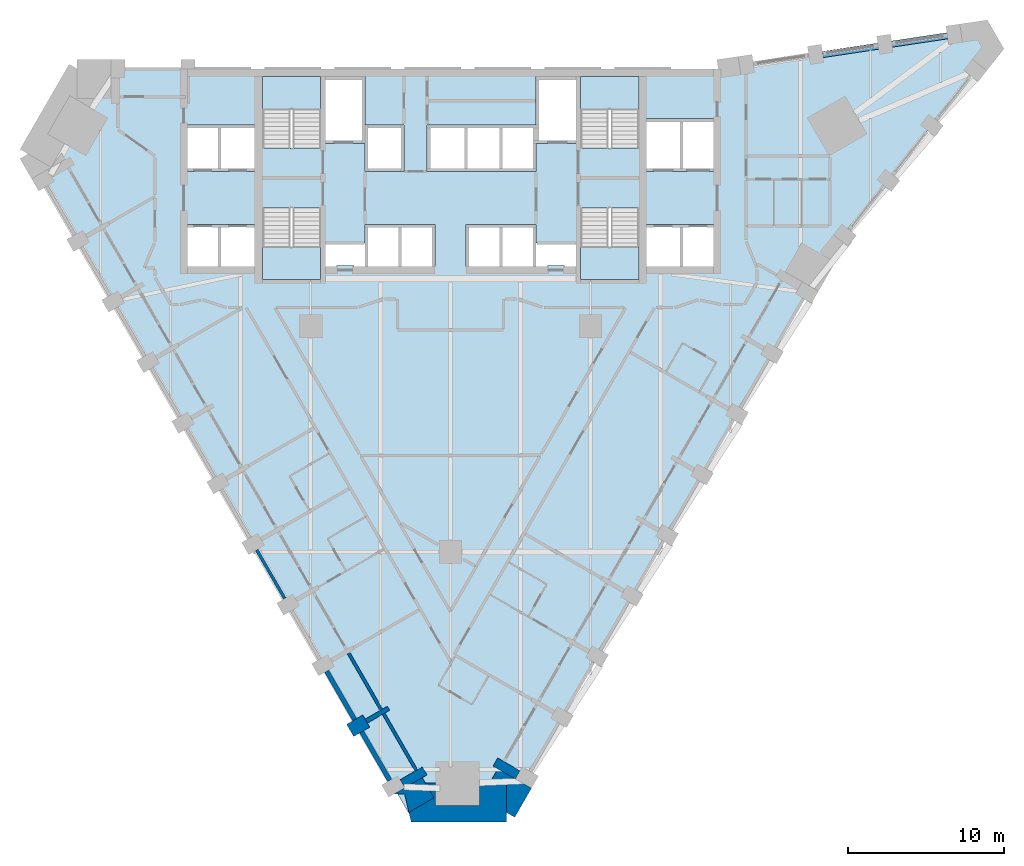
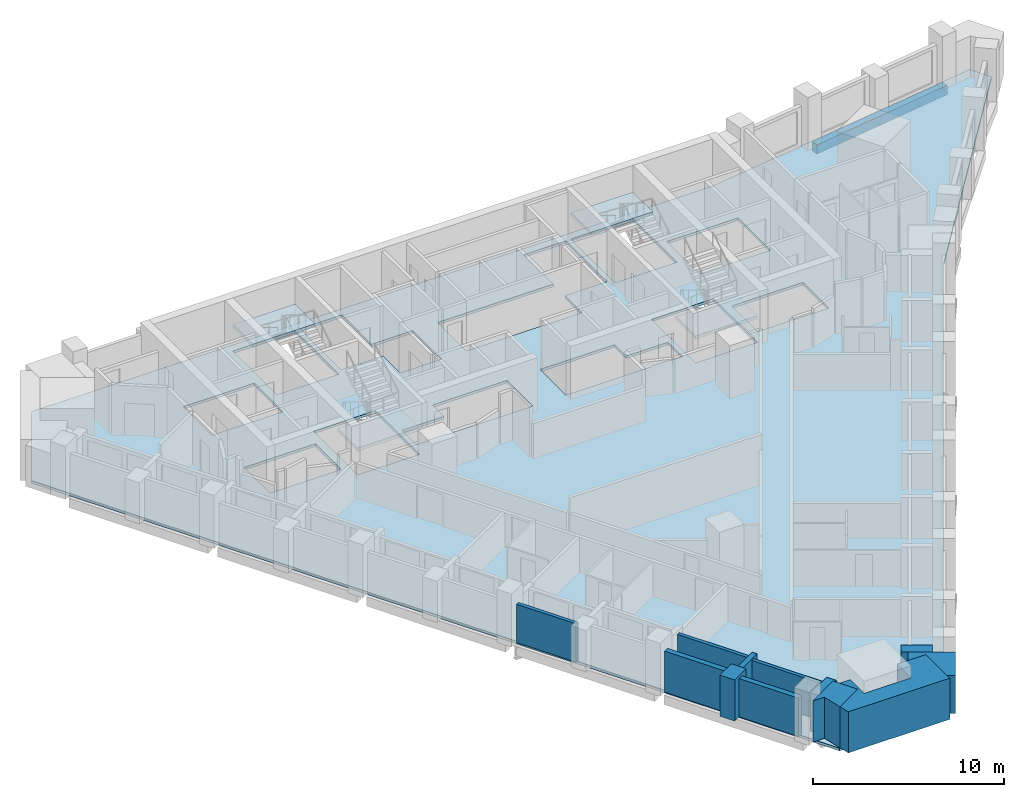
# One storey, part 2 of 11: 12 walls, 5 slabs, 1 beam, 4 elements without a shape of their own.
"""IFC4 building model written with IfcOpenShell, lengths in metres."""

from ifc_helpers import new_model, si_unit, direction, frame, frame_2d, origin, origin_2d, place, context, subcontext, project, spatial, polyline, rectangle, outline, extrude, material, layer, layer_set, material_profile, profile_set, type_object, element, aggregate, save


model = new_model("IFC4")

# Units and contexts
model_context = context("Model", 3, precision=1e-05, world=origin(), true_north=direction((0.0, 1.0)))
body_context = subcontext(model_context, "Body", "Model", "MODEL_VIEW")
ifc_project = project(units=[si_unit("LENGTHUNIT", "METRE"), si_unit("AREAUNIT", "SQUARE_METRE"), si_unit("VOLUMEUNIT", "CUBIC_METRE"), si_unit("PLANEANGLEUNIT", "RADIAN"), si_unit("MASSUNIT", "GRAM", prefix="KILO")], contexts=[model_context])

# Site, building, storey
site_placement = place(None, origin())
site = spatial("IfcSite", under=ifc_project, at=site_placement, CompositionType="ELEMENT")
building_placement = place(site_placement, origin())
building = spatial("IfcBuilding", under=site, at=building_placement, Name="Calabash Gate Tower", CompositionType="ELEMENT")
storey_placement = place(building_placement, frame((0.0, 0.0, 122.39990234375)))
storey = spatial("IfcBuildingStorey", under=building, at=storey_placement, Name="L28", CompositionType="ELEMENT", Elevation=122.39990234375)

# Beam
ifc_material_1 = material(Name="Concrete C60/75", Category="concrete")
ifc_material_profile = material_profile(ifc_material_1, rectangle(XDim=0.39990234375, YDim=0.60009765625, at=origin_2d()))
ifc_profile_set = profile_set([ifc_material_profile], Name="Concrete C60/75")
beam_type = type_object("IfcBeamType", Name="Edge beam RC 400x600 Concrete C60/75", PredefinedType="BEAM", material=ifc_profile_set)
beam_placement = place(storey_placement, frame((32.5439453125, 21.27392578125, -0.469970703125), z_axis=(-0.988841625555, -0.148970599683, 0.0), x_axis=(0.148970599683, -0.988841625555, 0.0)))
element("IfcBeam", 1, at=beam_placement, inside=storey, type_object=beam_type, Name="Edge beam L28 15", PredefinedType="BEAM", context=body_context, shape_type="SweptSolid", body=[
    extrude(rectangle(XDim=0.39990234375, YDim=0.60009765625, at=origin_2d()), origin(), (0.0, 0.0, 1.0), 8.7333984375),
])

# Slab
ifc_material_2 = material(Name="Concrete C40/50", Category="concrete")
ifc_layer_1 = layer(ifc_material_2, 0.169921875)
ifc_layer_set_1 = layer_set([ifc_layer_1], Name="Composite floor slab 170 Concrete C40/50")
slab_type_1 = type_object("IfcSlabType", Name="Composite floor slab 170 Concrete C40/50", PredefinedType="FLOOR", material=ifc_layer_set_1)
slab_1_placement = place(storey_placement, frame((0.0, 0.0, -0.169921875)))
element("IfcSlab", 2, at=slab_1_placement, inside=storey, type_object=slab_type_1, Name="Floor slab L28", PredefinedType="FLOOR", context=body_context, shape_type="SweptSolid", body=[
    extrude(outline(polyline([(-27.162353515625, 13.581787109375), (-24.00390625, 19.052490234375), (17.2099609375, 19.052490234375), (34.192138671875, 21.54150390625), (34.856689453125, 20.390625), (24.2099609375, 6.92822265625), (3.60302734375, -28.76416015625), (-2.7138671875, -28.76416015625), (-27.162353515625, 13.581787109375)]), holes=[polyline([(-5.5, 9.052490234375), (-5.5, 7.8525390625), (-8.050048828125, 7.8525390625), (-8.050048828125, 6.3525390625), (-7.324951171875, 6.3525390625), (-7.324951171875, 6.402587890625), (-6.22509765625, 6.402587890625), (-6.22509765625, 6.3525390625), (-5.5, 6.3525390625), (-3.25, 6.3525390625), (-1.0, 6.3525390625), (-1.0, 9.052490234375), (-3.25, 9.052490234375), (-5.5, 9.052490234375)]), polyline([(5.5, 9.052490234375), (3.25, 9.052490234375), (1.0, 9.052490234375), (1.0, 6.3525390625), (3.25, 6.3525390625), (5.5, 6.3525390625), (6.22509765625, 6.3525390625), (6.22509765625, 6.402587890625), (7.324951171875, 6.402587890625), (7.324951171875, 6.3525390625), (8.050048828125, 6.3525390625), (8.050048828125, 7.8525390625), (5.5, 7.8525390625), (5.5, 9.052490234375)]), polyline([(-5.5, 14.252685546875), (-5.5, 12.45263671875), (-3.0, 12.45263671875), (-3.0, 15.45263671875), (-5.5, 15.45263671875), (-5.5, 18.552490234375), (-8.050048828125, 18.552490234375), (-8.050048828125, 14.252685546875), (-5.5, 14.252685546875)]), polyline([(8.050048828125, 18.552490234375), (5.5, 18.552490234375), (5.5, 15.45263671875), (3.25, 15.45263671875), (1.0, 15.45263671875), (-1.5, 15.45263671875), (-1.5, 12.45263671875), (1.0, 12.45263671875), (3.25, 12.45263671875), (5.5, 12.45263671875), (5.5, 14.252685546875), (8.050048828125, 14.252685546875), (8.050048828125, 18.552490234375)]), polyline([(-12.60009765625, 6.3525390625), (-12.60009765625, 9.052490234375), (-14.85009765625, 9.052490234375), (-16.89990234375, 9.052490234375), (-16.89990234375, 6.3525390625), (-14.85009765625, 6.3525390625), (-12.60009765625, 6.3525390625)]), polyline([(-14.85009765625, 12.45263671875), (-12.60009765625, 12.45263671875), (-12.60009765625, 15.45263671875), (-14.85009765625, 15.45263671875), (-16.89990234375, 15.45263671875), (-16.89990234375, 12.45263671875), (-14.85009765625, 12.45263671875)]), polyline([(14.85009765625, 6.3525390625), (16.89990234375, 6.3525390625), (16.89990234375, 9.052490234375), (14.85009765625, 9.052490234375), (12.60009765625, 9.052490234375), (12.60009765625, 6.3525390625), (14.85009765625, 6.3525390625)]), polyline([(14.85009765625, 12.45263671875), (16.89990234375, 12.45263671875), (16.89990234375, 15.8525390625), (14.85009765625, 15.8525390625), (12.60009765625, 15.8525390625), (12.60009765625, 12.45263671875), (14.85009765625, 12.45263671875)]), polyline([(-8.35009765625, 18.552490234375), (-12.10009765625, 18.552490234375), (-12.10009765625, 13.95263671875), (-8.35009765625, 13.95263671875), (-8.35009765625, 18.552490234375)]), polyline([(-12.10009765625, 10.1025390625), (-12.10009765625, 5.502685546875), (-8.35009765625, 5.502685546875), (-8.35009765625, 10.1025390625), (-12.10009765625, 10.1025390625)]), polyline([(8.35009765625, 13.95263671875), (12.10009765625, 13.95263671875), (12.10009765625, 18.552490234375), (8.35009765625, 18.552490234375), (8.35009765625, 13.95263671875)]), polyline([(12.10009765625, 5.502685546875), (12.10009765625, 10.1025390625), (8.35009765625, 10.1025390625), (8.35009765625, 5.502685546875), (12.10009765625, 5.502685546875)])]), origin(), (0.0, 0.0, 1.0), 0.169921875),
])

# Stair, slab
ifc_material_3 = material(Name="Concrete C40/50", Category="concrete")
stair_type = type_object("IfcStairType", Name="Exit stair 20 risers of 170 mm", PredefinedType="HALF_TURN_STAIR", material=ifc_material_3)
stair_1_placement = place(storey_placement, origin())
stair_1 = element("IfcStair", 3, at=stair_1_placement, inside=storey, type_object=stair_type, Name="L28 Exit stair ST1", PredefinedType="HALF_TURN_STAIR")
ifc_material_4 = material(Name="Concrete C40/50", Category="concrete")
ifc_layer_2 = layer(ifc_material_4, 0.199951171875)
ifc_layer_set_2 = layer_set([ifc_layer_2], Name="Stair landing SL200")
slab_type_2 = type_object("IfcSlabType", Name="Stair landing SL200", PredefinedType="LANDING", material=ifc_layer_set_2)
slab_2_placement = place(storey_placement, frame((0.0, 0.0, 1.5)))
slab_2 = element("IfcSlab", 4, at=slab_2_placement, type_object=slab_type_2, Name="ST1 landing 1", PredefinedType="LANDING", context=body_context, shape_type="SweptSolid", body=[
    extrude(outline(polyline([(-8.35009765625, 16.463623046875), (-8.35009765625, 18.552490234375), (-12.10009765625, 18.552490234375), (-12.10009765625, 16.463623046875), (-8.35009765625, 16.463623046875)])), origin(), (0.0, 0.0, 1.0), 0.2001953125),
])
aggregate(stair_1, [slab_2])

stair_2_placement = place(storey_placement, origin())
stair_2 = element("IfcStair", 5, at=stair_2_placement, inside=storey, type_object=stair_type, Name="L28 Exit stair ST2", PredefinedType="HALF_TURN_STAIR")
slab_3_placement = place(storey_placement, frame((0.0, 0.0, 1.5)))
slab_3 = element("IfcSlab", 6, at=slab_3_placement, type_object=slab_type_2, Name="ST2 landing 1", PredefinedType="LANDING", context=body_context, shape_type="SweptSolid", body=[
    extrude(outline(polyline([(-12.10009765625, 7.591552734375), (-12.10009765625, 5.502685546875), (-8.35009765625, 5.502685546875), (-8.35009765625, 7.591552734375), (-12.10009765625, 7.591552734375)])), origin(), (0.0, 0.0, 1.0), 0.2001953125),
])
aggregate(stair_2, [slab_3])

stair_3_placement = place(storey_placement, origin())
stair_3 = element("IfcStair", 7, at=stair_3_placement, inside=storey, type_object=stair_type, Name="L28 Exit stair ST3", PredefinedType="HALF_TURN_STAIR")
slab_4_placement = place(storey_placement, frame((0.0, 0.0, 1.5)))
slab_4 = element("IfcSlab", 8, at=slab_4_placement, type_object=slab_type_2, Name="ST3 landing 1", PredefinedType="LANDING", context=body_context, shape_type="SweptSolid", body=[
    extrude(outline(polyline([(12.10009765625, 16.463623046875), (12.10009765625, 18.552490234375), (8.35009765625, 18.552490234375), (8.35009765625, 16.463623046875), (12.10009765625, 16.463623046875)])), origin(), (0.0, 0.0, 1.0), 0.2001953125),
])
aggregate(stair_3, [slab_4])

stair_4_placement = place(storey_placement, origin())
stair_4 = element("IfcStair", 9, at=stair_4_placement, inside=storey, type_object=stair_type, Name="L28 Exit stair ST4", PredefinedType="HALF_TURN_STAIR")
slab_5_placement = place(storey_placement, frame((0.0, 0.0, 1.5)))
slab_5 = element("IfcSlab", 10, at=slab_5_placement, type_object=slab_type_2, Name="ST4 landing 1", PredefinedType="LANDING", context=body_context, shape_type="SweptSolid", body=[
    extrude(outline(polyline([(8.35009765625, 7.591552734375), (8.35009765625, 5.502685546875), (12.10009765625, 5.502685546875), (12.10009765625, 7.591552734375), (8.35009765625, 7.591552734375)])), origin(), (0.0, 0.0, 1.0), 0.2001953125),
])
aggregate(stair_4, [slab_5])

# Walls
ifc_material_5 = material(Name="Terracotta brick masonry, exposed face", Category="masonry")
ifc_layer_3 = layer(ifc_material_5, 2.5)
ifc_layer_set_3 = layer_set([ifc_layer_3], Name="Brick corner mass wall 2500")
wall_type_1 = type_object("IfcWallType", Name="Brick corner mass wall 2500", PredefinedType="SOLIDWALL", material=ifc_layer_set_3)
wall_1_placement = place(storey_placement, origin())
element("IfcWall", 11, at=wall_1_placement, inside=storey, type_object=wall_type_1, Name="Brick corner pier S08 1a", PredefinedType="SOLIDWALL", context=body_context, shape_type="SweptSolid", body=[
    extrude(outline(polyline([(-1.068603515625, -27.814208984375), (-1.817626953125, -26.516357421875), (-2.943603515625, -27.16650390625), (-2.943359375, -27.166748046875), (-3.65234375, -27.575927734375), (-2.9541015625, -27.575927734375), (-2.6796875, -28.744384765625), (-1.068603515625, -27.814208984375)])), origin(), (0.0, 0.0, 1.0), 2.630126953125),
])
wall_2_placement = place(storey_placement, origin())
element("IfcWall", 12, at=wall_2_placement, inside=storey, type_object=wall_type_1, Name="Brick corner pier S08 1b", PredefinedType="SOLIDWALL", context=body_context, shape_type="SweptSolid", body=[
    extrude(outline(polyline([(-0.97802734375, -26.864013671875), (-1.616943359375, -26.864013671875), (-1.068603515625, -27.814208984375), (-2.6796875, -28.744384765625), (-2.5341796875, -29.364013671875), (3.60302734375, -29.364013671875), (3.60302734375, -26.864013671875), (1.8720703125, -26.864013671875), (1.8720703125, -28.318115234375), (-0.97802734375, -28.318115234375), (-0.97802734375, -26.864013671875)])), origin(), (0.0, 0.0, 1.0), 2.630126953125),
])
wall_3_placement = place(storey_placement, origin())
element("IfcWall", 13, at=wall_3_placement, inside=storey, type_object=wall_type_1, Name="Brick corner pier S08 1c", PredefinedType="SOLIDWALL", context=body_context, shape_type="SweptSolid", body=[
    extrude(outline(polyline([(5.201171875, -27.196044921875), (3.0361328125, -25.946044921875), (2.506103515625, -26.864013671875), (3.60302734375, -26.864013671875), (3.60302734375, -28.76416015625), (4.122802734375, -29.064208984375), (5.201171875, -27.196044921875)])), origin(), (0.0, 0.0, 1.0), 2.4501953125),
])
ifc_material_6 = material(Name="Terracotta brick masonry, exposed face", Category="masonry")
ifc_layer_4 = layer(ifc_material_6, 1.199951171875)
ifc_layer_set_4 = layer_set([ifc_layer_4], Name="Brick end wall 1200")
wall_type_2 = type_object("IfcWallType", Name="Brick end wall 1200", PredefinedType="SOLIDWALL", material=ifc_layer_set_4)
wall_4_placement = place(storey_placement, frame((-6.457763671875, -23.4794921875, 0.0), z_axis=(0.0, 0.0, 1.0), x_axis=(0.866043267704, 0.499969057507, 0.0)))
element("IfcWall", 14, at=wall_4_placement, inside=storey, type_object=wall_type_2, Name="Brick pier S08 SW0.9", PredefinedType="SOLIDWALL", context=body_context, shape_type="SweptSolid", body=[
    extrude(rectangle(XDim=1.19970703125, YDim=0.89990234375, at=frame_2d((0.599853515625, 0.0))), origin(), (0.0, 0.0, 1.0), 2.630126953125),
])
ifc_material_7 = material(Name="Terracotta brick masonry, exposed face", Category="masonry")
ifc_layer_5 = layer(ifc_material_7, 0.300048828125)
ifc_layer_set_5 = layer_set([ifc_layer_5], Name="Brick infill panel wall 300")
wall_type_3 = type_object("IfcWallType", Name="Brick infill panel wall 300", PredefinedType="SOLIDWALL", material=ifc_layer_set_5)
wall_5_placement = place(storey_placement, frame((-7.963134765625, -19.672119140625, 0.0), z_axis=(0.0, 0.0, 1.0), x_axis=(0.500012057535, -0.866018442252, 0.0)))
element("IfcWall", 15, at=wall_5_placement, inside=storey, type_object=wall_type_3, Name="Brick panel S08 SW0.9", PredefinedType="SOLIDWALL", context=body_context, shape_type="SweptSolid", body=[
    extrude(rectangle(XDim=3.60009765625, YDim=0.300048828125, at=frame_2d((1.800048828125, 0.0))), origin(), (0.0, 0.0, 1.0), 2.630126953125),
])
wall_6_placement = place(storey_placement, frame((-5.713134765625, -23.5693359375, 0.0), z_axis=(0.0, 0.0, 1.0), x_axis=(0.500012057535, -0.866018442252, 0.0)))
element("IfcWall", 16, at=wall_6_placement, inside=storey, type_object=wall_type_3, Name="Brick panel S08 SW0.10", PredefinedType="SOLIDWALL", context=body_context, shape_type="SweptSolid", body=[
    extrude(rectangle(XDim=3.60009765625, YDim=0.300048828125, at=frame_2d((1.800048828125, 0.0))), origin(), (0.0, 0.0, 1.0), 2.4501953125),
])
ifc_material_8 = material(Name="Terracotta brick masonry, exposed face", Category="masonry")
ifc_layer_6 = layer(ifc_material_8, 0.300048828125)
ifc_layer_set_6 = layer_set([ifc_layer_6], Name="Brick loggia cheek wall 300")
wall_type_4 = type_object("IfcWallType", Name="Brick loggia cheek wall 300", PredefinedType="SOLIDWALL", material=ifc_layer_set_6)
wall_7_placement = place(storey_placement, frame((-3.98974609375, -22.0546875, 0.0), z_axis=(0.0, 0.0, 1.0), x_axis=(-0.866040211805, -0.499974350878, 0.0)))
element("IfcWall", 17, at=wall_7_placement, inside=storey, type_object=wall_type_4, Name="Loggia cheek S08 SW0.9", PredefinedType="SOLIDWALL", context=body_context, shape_type="SweptSolid", body=[
    extrude(rectangle(XDim=1.64990234375, YDim=0.300048828125, at=frame_2d((0.824951171875, 0.0))), origin(), (0.0, 0.0, 1.0), 2.4736328125),
])
wall_8_placement = place(storey_placement, frame((-3.093505859375, -26.906494140625, 0.0), z_axis=(0.0, 0.0, 1.0), x_axis=(0.866040211805, 0.499974350878, 0.0)))
element("IfcWall", 18, at=wall_8_placement, inside=storey, type_object=wall_type_4, Name="Loggia cheek S08 SW0.10", PredefinedType="SOLIDWALL", context=body_context, shape_type="SweptSolid", body=[
    extrude(rectangle(XDim=1.64990234375, YDim=0.60009765625, at=frame_2d((0.824951171875, 0.0))), origin(), (0.0, 0.0, 1.0), 2.4501953125),
])
wall_9_placement = place(storey_placement, frame((4.31201171875, -26.33642578125, 0.0), z_axis=(0.0, 0.0, 1.0), x_axis=(-0.865976140824, 0.500085316245, 0.0)))
element("IfcWall", 19, at=wall_9_placement, inside=storey, type_object=wall_type_4, Name="Loggia cheek S08 SE2.0", PredefinedType="SOLIDWALL", context=body_context, shape_type="SweptSolid", body=[
    extrude(rectangle(XDim=1.650146484375, YDim=0.60009765625, at=frame_2d((0.8251953125, 0.0))), origin(), (0.0, 0.0, 1.0), 2.4501953125),
])
ifc_material_9 = material(Name="Terracotta brick masonry, perforated", Category="masonry")
ifc_layer_7 = layer(ifc_material_9, 0.199951171875)
ifc_layer_set_7 = layer_set([ifc_layer_7], Name="Terracotta jaali screen B")
wall_type_5 = type_object("IfcWallType", Name="Terracotta jaali screen B", PredefinedType="SOLIDWALL", material=ifc_layer_set_7)
wall_10_placement = place(storey_placement, frame((-12.463134765625, -11.8779296875, 0.0), z_axis=(0.0, 0.0, 1.0), x_axis=(0.500012057535, -0.866018442252, 0.0)))
element("IfcWall", 20, at=wall_10_placement, inside=storey, type_object=wall_type_5, Name="SCREEN B S08 SW0.7", PredefinedType="SOLIDWALL", context=body_context, shape_type="SweptSolid", body=[
    extrude(rectangle(XDim=3.60009765625, YDim=0.199951171875, at=frame_2d((1.800048828125, 0.0))), origin(), (0.0, 0.0, 1.0), 2.4501953125),
])
ifc_material_10 = material(Name="Aluminium framed window wall with insulated spandrel", Category="aluminium")
ifc_layer_8 = layer(ifc_material_10, 0.199951171875)
ifc_layer_set_8 = layer_set([ifc_layer_8], Name="Window wall 200")
wall_type_6 = type_object("IfcWallType", Name="Window wall 200", PredefinedType="ELEMENTEDWALL", material=ifc_layer_set_8)
wall_11_placement = place(storey_placement, frame((-6.554443359375, -18.512451171875, 0.0), z_axis=(0.0, 0.0, 1.0), x_axis=(0.500027713859, -0.866009402589, 0.0)))
element("IfcWall", 21, at=wall_11_placement, inside=storey, type_object=wall_type_6, Name="Window wall S08 SW0.9", PredefinedType="ELEMENTEDWALL", context=body_context, shape_type="SweptSolid", body=[
    extrude(rectangle(XDim=4.199951171875, YDim=0.199951171875, at=frame_2d((2.10009765625, 0.0))), origin(), (0.0, 0.0, 1.0), 2.4736328125),
])
wall_12_placement = place(storey_placement, frame((-4.304443359375, -22.409423828125, 0.0), z_axis=(0.0, 0.0, 1.0), x_axis=(0.500002543286, -0.866023935413, 0.0)))
element("IfcWall", 22, at=wall_12_placement, inside=storey, type_object=wall_type_6, Name="Window wall S08 SW0.10", PredefinedType="ELEMENTEDWALL", context=body_context, shape_type="SweptSolid", body=[
    extrude(rectangle(XDim=4.2001953125, YDim=0.199951171875, at=frame_2d((2.10009765625, 0.0))), origin(), (0.0, 0.0, 1.0), 2.38427734375),
])

save(model, "model.ifc")
